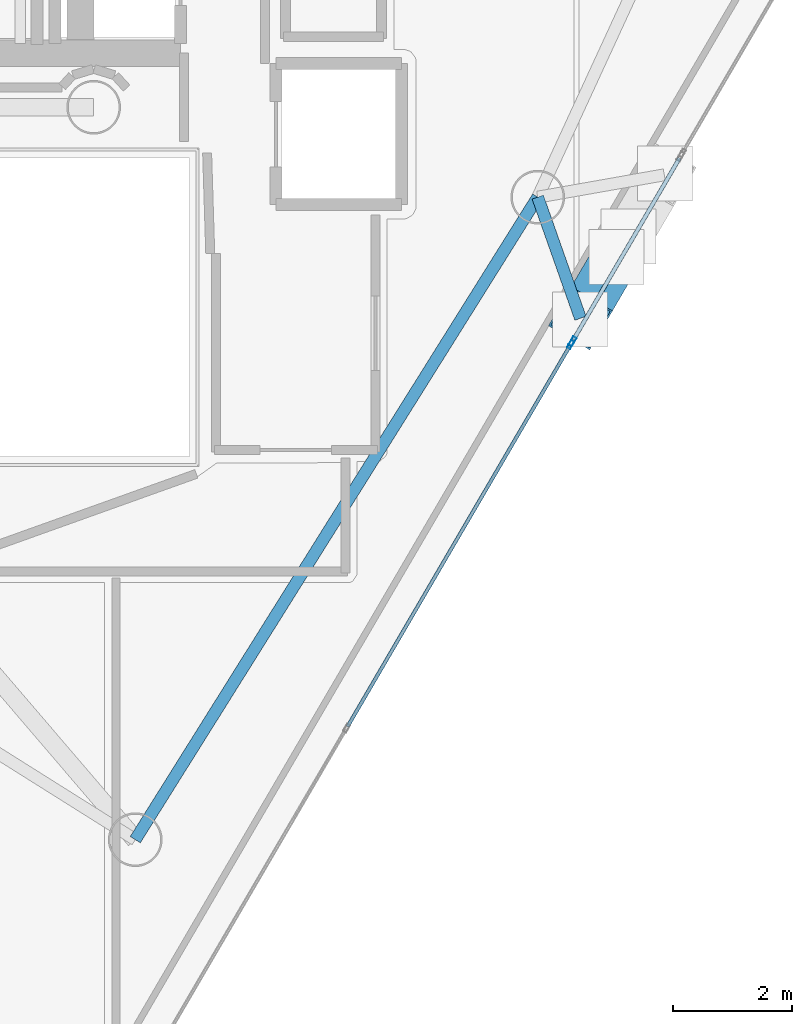
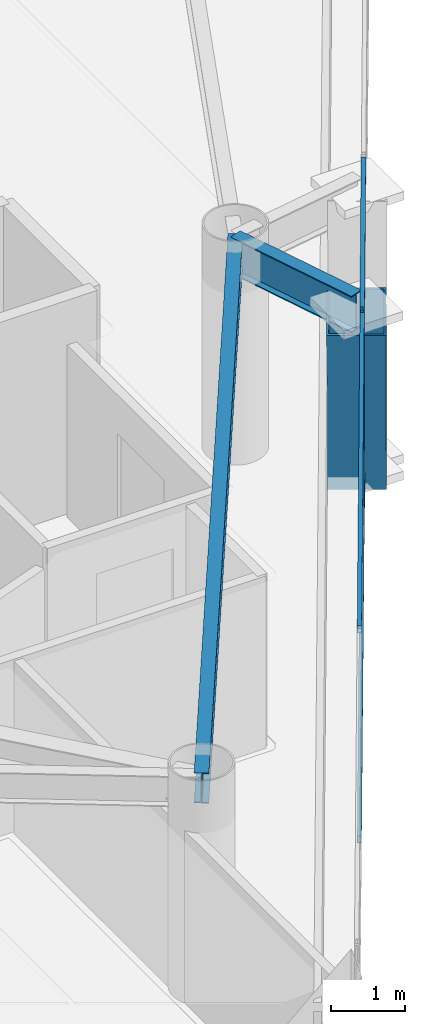
# One storey, part 5 of 22: 7 members, 2 beams, 2 elements without a shape of their own.
"""IFC4 building model written with IfcOpenShell, lengths in metres."""

from ifc_helpers import new_model, si_unit, direction, frame, origin, origin_2d, place, context, subcontext, project, spatial, hollow_rectangle, i_section, extrude, material, layer, layer_set, material_profile, profile_set, type_object, element, aggregate, save


model = new_model("IFC4")

# Units and contexts
model_context = context("Model", 3, precision=1e-05, world=origin(), true_north=direction((0.0, 1.0)))
body_context = subcontext(model_context, "Body", "Model", "MODEL_VIEW")
ifc_project = project(units=[si_unit("LENGTHUNIT", "METRE"), si_unit("AREAUNIT", "SQUARE_METRE"), si_unit("VOLUMEUNIT", "CUBIC_METRE"), si_unit("PLANEANGLEUNIT", "RADIAN"), si_unit("MASSUNIT", "GRAM", prefix="KILO")], contexts=[model_context])

# Site, building, storey
site_placement = place(None, origin())
site = spatial("IfcSite", under=ifc_project, at=site_placement, CompositionType="ELEMENT")
building_placement = place(site_placement, origin())
building = spatial("IfcBuilding", under=site, at=building_placement, Name="Qianvela Tower", CompositionType="ELEMENT")
storey_placement = place(building_placement, frame((0.0, 0.0, 299.10009765625)))
storey = spatial("IfcBuildingStorey", under=building, at=storey_placement, Name="L77", CompositionType="ELEMENT", Elevation=299.10009765625)

# Beams
ifc_material_1 = material(Name="Steel Q355B", Category="steel")
ifc_material_profile_1 = material_profile(ifc_material_1, i_section(OverallWidth=0.199951171875, OverallDepth=0.5, WebThickness=0.010009765625, FlangeThickness=0.01611328125, at=origin_2d()), Name="HN500x200x10x16")
ifc_profile_set_1 = profile_set([ifc_material_profile_1], Name="Steel Q355B")
beam_type_1 = type_object("IfcBeamType", Name="BM-HN500-GIRD", PredefinedType="BEAM", material=ifc_profile_set_1)
beam_1_placement = place(storey_placement, frame((39.095947265625, 11.587890625, 3.267822265625), z_axis=(0.530840654868, 0.847471650935, 0.0), x_axis=(-0.847471650935, 0.530840654868, 0.0)))
element("IfcBeam", 1, at=beam_1_placement, inside=storey, type_object=beam_type_1, Name="L77 Perimeter Ring Spandrel Girder 5", PredefinedType="BEAM", context=body_context, shape_type="SweptSolid", body=[
    extrude(i_section(OverallWidth=0.199951171875, OverallDepth=0.5, WebThickness=0.010009765625, FlangeThickness=0.01611328125, at=origin_2d()), origin(), (0.0, 0.0, 1.0), 12.693115234375),
])
ifc_material_2 = material(Name="Steel Q355B", Category="steel")
ifc_material_profile_2 = material_profile(ifc_material_2, i_section(OverallWidth=0.199951171875, OverallDepth=0.60009765625, WebThickness=0.010986328125, FlangeThickness=0.01708984375, at=origin_2d()), Name="HN600x200x11x17")
ifc_profile_set_2 = profile_set([ifc_material_profile_2], Name="Steel Q355B")
beam_type_2 = type_object("IfcBeamType", Name="BM-HN600-GIRD", PredefinedType="BEAM", material=ifc_profile_set_2)
beam_2_placement = place(storey_placement, frame((45.833984375, 22.344970703125, 3.218017578125), z_axis=(0.332558877304, -0.943082495398, 0.0), x_axis=(0.943082495398, 0.332558877304, 0.0)))
element("IfcBeam", 2, at=beam_2_placement, inside=storey, type_object=beam_type_2, Name="L77 Mega-Brace Column Tie Bracket F3-1", PredefinedType="BEAM", context=body_context, shape_type="SweptSolid", body=[
    extrude(i_section(OverallWidth=0.199951171875, OverallDepth=0.60009765625, WebThickness=0.010986328125, FlangeThickness=0.01708984375, at=origin_2d()), origin(), (0.0, 0.0, 1.0), 2.15087890625),
])

# Curtain wall, members
ifc_material_3 = material(Name="Anodised Architectural Aluminium and Insulated Spandrel Panel", Category="aluminium")
ifc_layer_1 = layer(ifc_material_3, 0.179931640625)
ifc_layer_set_1 = layer_set([ifc_layer_1], Name="Anodised Architectural Aluminium and Insulated Spandrel Panel")
curtain_wall_type_1 = type_object("IfcCurtainWallType", Name="CW-BRACEBAY", PredefinedType="USERDEFINED", material=ifc_layer_set_1)
curtain_wall_1_placement = place(storey_placement, origin())
curtain_wall_1 = element("IfcCurtainWall", 3, at=curtain_wall_1_placement, inside=storey, type_object=curtain_wall_type_1, Name="L77 CW-BRACEBAY Curtain Wall 06B", ObjectType="CURTAIN_WALL_SYSTEM", PredefinedType="USERDEFINED")
ifc_material_4 = material(Name="Anodised Architectural Aluminium 6063-T6", Category="aluminium")
ifc_material_profile_3 = material_profile(ifc_material_4, hollow_rectangle(XDim=0.06494140625, YDim=0.159912109375, WallThickness=0.0048828125, at=origin_2d()), Name="ALU-MULL-65x160")
ifc_profile_set_3 = profile_set([ifc_material_profile_3], Name="Anodised Architectural Aluminium 6063-T6")
member_type_1 = type_object("IfcMemberType", Name="CW-BRACEBAY-MULL", PredefinedType="MULLION", material=ifc_profile_set_3)
member_1_placement = place(storey_placement, frame((46.41650390625, 19.9306640625, 0.0), z_axis=(0.0, 0.0, 1.0), x_axis=(-0.863510482909, 0.504330889305, 0.0)))
member_1 = element("IfcMember", 4, at=member_1_placement, type_object=member_type_1, Name="CW-9 mullion 1", PredefinedType="MULLION", context=body_context, shape_type="SweptSolid", body=[
    extrude(hollow_rectangle(XDim=0.06494140625, YDim=0.159912109375, WallThickness=0.0048828125, at=origin_2d()), origin(), (0.0, 0.0, 1.0), 3.52001953125),
])
ifc_material_5 = material(Name="Anodised Architectural Aluminium 6063-T6", Category="aluminium")
ifc_material_profile_4 = material_profile(ifc_material_5, hollow_rectangle(XDim=0.06494140625, YDim=0.1298828125, WallThickness=0.00439453125, at=origin_2d()), Name="ALU-TRAN-65x130")
ifc_profile_set_4 = profile_set([ifc_material_profile_4], Name="Anodised Architectural Aluminium 6063-T6")
member_type_2 = type_object("IfcMemberType", Name="CW-BRACEBAY-TRAN", PredefinedType="USERDEFINED", material=ifc_profile_set_4)
member_2_placement = place(storey_placement, frame((46.432861328125, 19.958740234375, 0.032470703125), z_axis=(0.50436255057, 0.863491990456, 0.0), x_axis=(-0.863491990456, 0.50436255057, 0.0)))
member_2 = element("IfcMember", 5, at=member_2_placement, type_object=member_type_2, Name="CW-9 transom 1.1", ObjectType="TRANSOM", PredefinedType="USERDEFINED", context=body_context, shape_type="SweptSolid", body=[
    extrude(hollow_rectangle(XDim=0.06494140625, YDim=0.1298828125, WallThickness=0.00439453125, at=origin_2d()), origin(), (0.0, 0.0, 1.0), 3.52001953125),
])
member_3_placement = place(storey_placement, frame((46.432861328125, 19.958740234375, 3.4873046875), z_axis=(0.50436255057, 0.863491990456, 0.0), x_axis=(-0.863491990456, 0.50436255057, 0.0)))
member_3 = element("IfcMember", 6, at=member_3_placement, type_object=member_type_2, Name="CW-9 transom 1.2", ObjectType="TRANSOM", PredefinedType="USERDEFINED", context=body_context, shape_type="SweptSolid", body=[
    extrude(hollow_rectangle(XDim=0.06494140625, YDim=0.1298828125, WallThickness=0.00439453125, at=origin_2d()), origin(), (0.0, 0.0, 1.0), 3.52001953125),
])
aggregate(curtain_wall_1, [member_1, member_2, member_3])

ifc_material_6 = material(Name="Anodised Architectural Aluminium and Low-E Glass", Category="aluminium")
ifc_layer_2 = layer(ifc_material_6, 0.14990234375)
ifc_layer_set_2 = layer_set([ifc_layer_2], Name="Anodised Architectural Aluminium and Low-E Glass")
curtain_wall_type_2 = type_object("IfcCurtainWallType", Name="CW-COLIV-Z78", PredefinedType="USERDEFINED", material=ifc_layer_set_2)
curtain_wall_2_placement = place(storey_placement, origin())
curtain_wall_2 = element("IfcCurtainWall", 7, at=curtain_wall_2_placement, inside=storey, type_object=curtain_wall_type_2, Name="L77 CW-COLIV-Z78 Curtain Wall 06A", ObjectType="CURTAIN_WALL_SYSTEM", PredefinedType="USERDEFINED")
ifc_material_7 = material(Name="Anodised Architectural Aluminium 6063-T6", Category="aluminium")
ifc_material_profile_5 = material_profile(ifc_material_7, hollow_rectangle(XDim=0.06005859375, YDim=0.139892578125, WallThickness=0.00439453125, at=origin_2d()), Name="ALU-MULL-60x140")
ifc_profile_set_5 = profile_set([ifc_material_profile_5], Name="Anodised Architectural Aluminium 6063-T6")
member_type_3 = type_object("IfcMemberType", Name="CW-COLIV-Z78-MULL", PredefinedType="MULLION", material=ifc_profile_set_5)
member_4_placement = place(storey_placement, frame((46.385009765625, 19.876708984375, 0.0), z_axis=(0.0, 0.0, 1.0), x_axis=(-0.863509125231, 0.5043332139, 0.0)))
member_4 = element("IfcMember", 8, at=member_4_placement, type_object=member_type_3, Name="CW-6 mullion 3", PredefinedType="MULLION", context=body_context, shape_type="SweptSolid", body=[
    extrude(hollow_rectangle(XDim=0.06005859375, YDim=0.139892578125, WallThickness=0.00439453125, at=origin_2d()), origin(), (0.0, 0.0, 1.0), 3.52001953125),
])
ifc_material_8 = material(Name="Anodised Architectural Aluminium 6063-T6", Category="aluminium")
ifc_material_profile_6 = material_profile(ifc_material_8, hollow_rectangle(XDim=0.06005859375, YDim=0.114990234375, WallThickness=0.00390625, at=origin_2d()), Name="ALU-TRAN-60x115")
ifc_profile_set_6 = profile_set([ifc_material_profile_6], Name="Anodised Architectural Aluminium 6063-T6")
member_type_4 = type_object("IfcMemberType", Name="CW-COLIV-Z78-TRAN", PredefinedType="USERDEFINED", material=ifc_profile_set_6)
member_5_placement = place(storey_placement, frame((42.650390625, 13.482421875, 0.02978515625), z_axis=(0.50433406112, 0.863508630411, 0.0), x_axis=(-0.863508630411, 0.50433406112, 0.0)))
member_5 = element("IfcMember", 9, at=member_5_placement, type_object=member_type_4, Name="CW-6 transom 2.1", ObjectType="TRANSOM", PredefinedType="USERDEFINED", context=body_context, shape_type="SweptSolid", body=[
    extrude(hollow_rectangle(XDim=0.06005859375, YDim=0.114990234375, WallThickness=0.00390625, at=origin_2d()), origin(), (0.0, 0.0, 1.0), 7.375),
])
member_6_placement = place(storey_placement, frame((42.650390625, 13.482421875, 3.489990234375), z_axis=(0.50433406112, 0.863508630411, 0.0), x_axis=(-0.863508630411, 0.50433406112, 0.0)))
member_6 = element("IfcMember", 10, at=member_6_placement, type_object=member_type_4, Name="CW-6 transom 2.2", ObjectType="TRANSOM", PredefinedType="USERDEFINED", context=body_context, shape_type="SweptSolid", body=[
    extrude(hollow_rectangle(XDim=0.06005859375, YDim=0.114990234375, WallThickness=0.00390625, at=origin_2d()), origin(), (0.0, 0.0, 1.0), 7.375),
])
aggregate(curtain_wall_2, [member_4, member_5, member_6])

# Member
ifc_material_9 = material(Name="Steel Q420GJC", Category="steel")
ifc_material_profile_7 = material_profile(ifc_material_9, hollow_rectangle(XDim=0.800048828125, YDim=0.800048828125, WallThickness=0.028076171875, at=origin_2d()), Name="MBOX-800x800x28")
ifc_profile_set_7 = profile_set([ifc_material_profile_7], Name="Steel Q420GJC")
member_type_5 = type_object("IfcMemberType", Name="MBR-MBRACE-800", PredefinedType="BRACE", material=ifc_profile_set_7)
member_7_placement = place(storey_placement, frame((47.139892578125, 21.32763671875, -0.14013671875), z_axis=(-0.166056258369, -0.28433444488, 0.944234739094), x_axis=(0.86352169987, -0.504311683241, 0.0)))
element("IfcMember", 11, at=member_7_placement, inside=storey, type_object=member_type_5, Name="L77 Tier 13 Exterior Mega-Brace F3A", PredefinedType="BRACE", context=body_context, shape_type="SweptSolid", body=[
    extrude(hollow_rectangle(XDim=0.800048828125, YDim=0.800048828125, WallThickness=0.028076171875, at=origin_2d()), origin(), (0.0, 0.0, 1.0), 3.556396484375),
])

save(model, "model.ifc")
